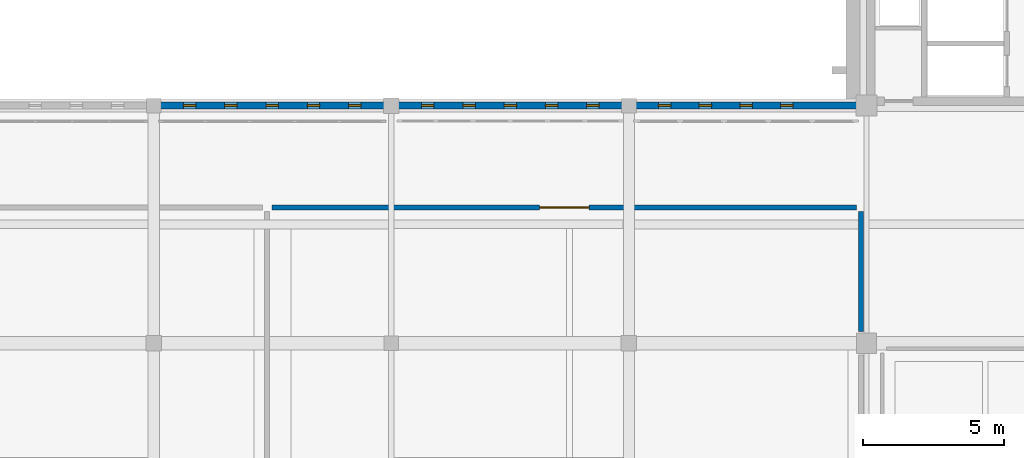
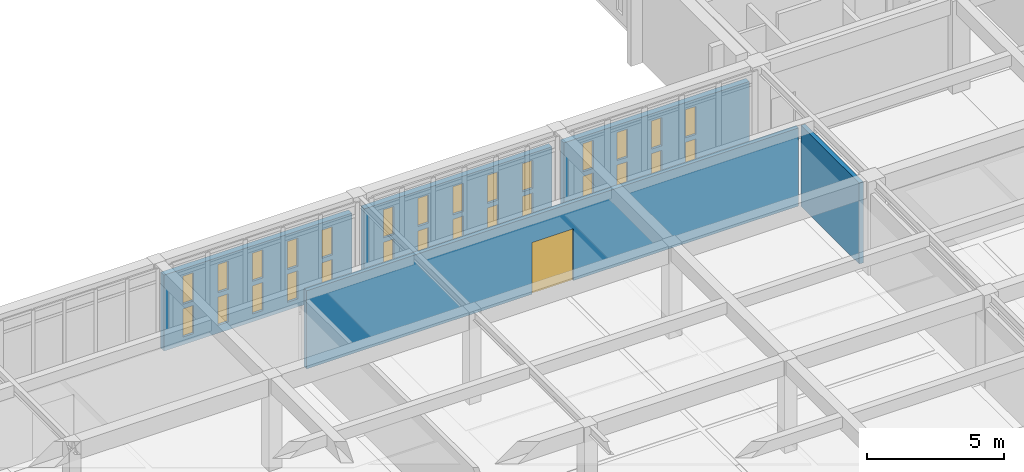
# One storey, part 162 of 192: 28 windows, 5 walls, 1 door, 29 openings.
"""IFC4 building model written with IfcOpenShell, lengths in metres."""

from ifc_helpers import new_model, si_unit, direction, frame, frame_2d, origin, place, context, subcontext, project, spatial, rectangle, extrude, material, layer, layer_set, type_object, element, fill, save


model = new_model("IFC4")

# Units and contexts
model_context = context("Model", 3, precision=1e-05, world=origin(), true_north=direction((0.0, 1.0)))
body_context = subcontext(model_context, "Body", "Model", "MODEL_VIEW")
ifc_project = project(units=[si_unit("LENGTHUNIT", "METRE"), si_unit("AREAUNIT", "SQUARE_METRE"), si_unit("VOLUMEUNIT", "CUBIC_METRE"), si_unit("PLANEANGLEUNIT", "RADIAN"), si_unit("MASSUNIT", "GRAM", prefix="KILO")], contexts=[model_context])

# Site, building, storey
site_placement = place(None, origin())
site = spatial("IfcSite", under=ifc_project, at=site_placement, CompositionType="ELEMENT")
building_placement = place(site_placement, origin())
building = spatial("IfcBuilding", under=site, at=building_placement, Name="Kveldsbrygga Polytechnic", CompositionType="ELEMENT")
storey_placement = place(building_placement, frame((0.0, 0.0, 5.43994140625)))
storey = spatial("IfcBuildingStorey", under=building, at=storey_placement, Name="L01", CompositionType="ELEMENT", Elevation=5.43994140625)

# Wall, openings, windows
ifc_material_1 = material(Name="Fired clay brick masonry M10", Category="masonry")
ifc_layer_1 = layer(ifc_material_1, 0.239990234375)
ifc_layer_set_1 = layer_set([ifc_layer_1], Name="Fired clay brick masonry M10")
wall_type_1 = type_object("IfcWallType", Name="EW-SCRN-240", PredefinedType="SOLIDWALL", material=ifc_layer_set_1)
wall_1_placement = place(storey_placement, frame((101.044921875, 25.199951171875, 0.0), z_axis=(0.0, 0.0, 1.0), x_axis=(1.0, 0.0, 0.0)))
wall_1 = element("IfcWall", 1, at=wall_1_placement, inside=storey, type_object=wall_type_1, Name="Perforated Brick Corridor Screen Wall SCRW-L01-X-12-03", PredefinedType="SOLIDWALL", context=body_context, shape_type="SweptSolid", body=[
    extrude(rectangle(XDim=7.89501953125, YDim=0.239990234375, at=frame_2d((3.947509765625, 0.0))), origin(), (0.0, 0.0, 1.0), 3.3701171875),
])
opening_1_placement = place(wall_1_placement, frame((0.8095703125, 0.0, 0.35009765625)))
opening_1 = element("IfcOpeningElement", 2, at=opening_1_placement, cuts=wall_1, Name="Opening W-48", PredefinedType="OPENING", context=body_context, shape_type="SweptSolid", body=[
    extrude(rectangle(XDim=0.43994140625, YDim=1.25, at=frame_2d((0.219970703125, 0.625))), frame((0.0, 0.1298828125, 0.0), z_axis=(0.0, -1.0, 0.0), x_axis=(1.0, 0.0, 0.0)), (0.0, 0.0, 1.0), 0.260009765625),
])
opening_2_placement = place(wall_1_placement, frame((2.2685546875, 0.0, 0.35009765625)))
opening_2 = element("IfcOpeningElement", 3, at=opening_2_placement, cuts=wall_1, Name="Opening W-48", PredefinedType="OPENING", context=body_context, shape_type="SweptSolid", body=[
    extrude(rectangle(XDim=0.43994140625, YDim=1.25, at=frame_2d((0.219970703125, 0.625))), frame((0.0, 0.1298828125, 0.0), z_axis=(0.0, -1.0, 0.0), x_axis=(1.0, 0.0, 0.0)), (0.0, 0.0, 1.0), 0.260009765625),
])
opening_3_placement = place(wall_1_placement, frame((3.7275390625, 0.0, 0.35009765625)))
opening_3 = element("IfcOpeningElement", 4, at=opening_3_placement, cuts=wall_1, Name="Opening W-48", PredefinedType="OPENING", context=body_context, shape_type="SweptSolid", body=[
    extrude(rectangle(XDim=0.43994140625, YDim=1.25, at=frame_2d((0.219970703125, 0.625))), frame((0.0, 0.1298828125, 0.0), z_axis=(0.0, -1.0, 0.0), x_axis=(1.0, 0.0, 0.0)), (0.0, 0.0, 1.0), 0.260009765625),
])
opening_4_placement = place(wall_1_placement, frame((5.1865234375, 0.0, 0.35009765625)))
opening_4 = element("IfcOpeningElement", 5, at=opening_4_placement, cuts=wall_1, Name="Opening W-48", PredefinedType="OPENING", context=body_context, shape_type="SweptSolid", body=[
    extrude(rectangle(XDim=0.43994140625, YDim=1.25, at=frame_2d((0.219970703125, 0.625))), frame((0.0, 0.1298828125, 0.0), z_axis=(0.0, -1.0, 0.0), x_axis=(1.0, 0.0, 0.0)), (0.0, 0.0, 1.0), 0.260009765625),
])
opening_5_placement = place(wall_1_placement, frame((6.6455078125, 0.0, 0.35009765625)))
opening_5 = element("IfcOpeningElement", 6, at=opening_5_placement, cuts=wall_1, Name="Opening W-48", PredefinedType="OPENING", context=body_context, shape_type="SweptSolid", body=[
    extrude(rectangle(XDim=0.43994140625, YDim=1.25, at=frame_2d((0.219970703125, 0.625))), frame((0.0, 0.1298828125, 0.0), z_axis=(0.0, -1.0, 0.0), x_axis=(1.0, 0.0, 0.0)), (0.0, 0.0, 1.0), 0.260009765625),
])
opening_6_placement = place(wall_1_placement, frame((0.8095703125, 0.0, 1.800048828125)))
opening_6 = element("IfcOpeningElement", 7, at=opening_6_placement, cuts=wall_1, Name="Opening W-48", PredefinedType="OPENING", context=body_context, shape_type="SweptSolid", body=[
    extrude(rectangle(XDim=0.43994140625, YDim=1.25, at=frame_2d((0.219970703125, 0.625))), frame((0.0, 0.1298828125, 0.0), z_axis=(0.0, -1.0, 0.0), x_axis=(1.0, 0.0, 0.0)), (0.0, 0.0, 1.0), 0.260009765625),
])
opening_7_placement = place(wall_1_placement, frame((2.2685546875, 0.0, 1.800048828125)))
opening_7 = element("IfcOpeningElement", 8, at=opening_7_placement, cuts=wall_1, Name="Opening W-48", PredefinedType="OPENING", context=body_context, shape_type="SweptSolid", body=[
    extrude(rectangle(XDim=0.43994140625, YDim=1.25, at=frame_2d((0.219970703125, 0.625))), frame((0.0, 0.1298828125, 0.0), z_axis=(0.0, -1.0, 0.0), x_axis=(1.0, 0.0, 0.0)), (0.0, 0.0, 1.0), 0.260009765625),
])
opening_8_placement = place(wall_1_placement, frame((3.7275390625, 0.0, 1.800048828125)))
opening_8 = element("IfcOpeningElement", 9, at=opening_8_placement, cuts=wall_1, Name="Opening W-48", PredefinedType="OPENING", context=body_context, shape_type="SweptSolid", body=[
    extrude(rectangle(XDim=0.43994140625, YDim=1.25, at=frame_2d((0.219970703125, 0.625))), frame((0.0, 0.1298828125, 0.0), z_axis=(0.0, -1.0, 0.0), x_axis=(1.0, 0.0, 0.0)), (0.0, 0.0, 1.0), 0.260009765625),
])
opening_9_placement = place(wall_1_placement, frame((5.1865234375, 0.0, 1.800048828125)))
opening_9 = element("IfcOpeningElement", 10, at=opening_9_placement, cuts=wall_1, Name="Opening W-48", PredefinedType="OPENING", context=body_context, shape_type="SweptSolid", body=[
    extrude(rectangle(XDim=0.43994140625, YDim=1.25, at=frame_2d((0.219970703125, 0.625))), frame((0.0, 0.1298828125, 0.0), z_axis=(0.0, -1.0, 0.0), x_axis=(1.0, 0.0, 0.0)), (0.0, 0.0, 1.0), 0.260009765625),
])
opening_10_placement = place(wall_1_placement, frame((6.6455078125, 0.0, 1.800048828125)))
opening_10 = element("IfcOpeningElement", 11, at=opening_10_placement, cuts=wall_1, Name="Opening W-48", PredefinedType="OPENING", context=body_context, shape_type="SweptSolid", body=[
    extrude(rectangle(XDim=0.43994140625, YDim=1.25, at=frame_2d((0.219970703125, 0.625))), frame((0.0, 0.1298828125, 0.0), z_axis=(0.0, -1.0, 0.0), x_axis=(1.0, 0.0, 0.0)), (0.0, 0.0, 1.0), 0.260009765625),
])
ifc_material_2 = material(Name="Insulated triple low-E glass", Category="glass")
window_type = type_object("IfcWindowType", Name="WN-SCRN-044x125", PartitioningType="SINGLE_PANEL", PredefinedType="WINDOW", material=ifc_material_2)
window_1_placement = place(opening_1_placement, origin())
window_1 = element("IfcWindow", 12, at=window_1_placement, inside=storey, type_object=window_type, Name="Perforated Screen Aperture L01-X-12-03-1", OverallHeight=1.25, OverallWidth=0.43994140625, PartitioningType="SINGLE_PANEL", PredefinedType="WINDOW", context=body_context, shape_type="SweptSolid", body=[
    extrude(rectangle(XDim=0.43994140625, YDim=1.25, at=frame_2d((0.219970703125, 0.625))), frame((0.0, 0.030029296875, 0.0), z_axis=(0.0, -1.0, 0.0), x_axis=(1.0, 0.0, 0.0)), (0.0, 0.0, 1.0), 0.06005859375),
])
fill(opening_1, window_1)
window_2_placement = place(opening_2_placement, origin())
window_2 = element("IfcWindow", 13, at=window_2_placement, inside=storey, type_object=window_type, Name="Perforated Screen Aperture L01-X-12-03-2", OverallHeight=1.25, OverallWidth=0.43994140625, PartitioningType="SINGLE_PANEL", PredefinedType="WINDOW", context=body_context, shape_type="SweptSolid", body=[
    extrude(rectangle(XDim=0.43994140625, YDim=1.25, at=frame_2d((0.219970703125, 0.625))), frame((0.0, 0.030029296875, 0.0), z_axis=(0.0, -1.0, 0.0), x_axis=(1.0, 0.0, 0.0)), (0.0, 0.0, 1.0), 0.06005859375),
])
fill(opening_2, window_2)
window_3_placement = place(opening_3_placement, origin())
window_3 = element("IfcWindow", 14, at=window_3_placement, inside=storey, type_object=window_type, Name="Perforated Screen Aperture L01-X-12-03-3", OverallHeight=1.25, OverallWidth=0.43994140625, PartitioningType="SINGLE_PANEL", PredefinedType="WINDOW", context=body_context, shape_type="SweptSolid", body=[
    extrude(rectangle(XDim=0.43994140625, YDim=1.25, at=frame_2d((0.219970703125, 0.625))), frame((0.0, 0.030029296875, 0.0), z_axis=(0.0, -1.0, 0.0), x_axis=(1.0, 0.0, 0.0)), (0.0, 0.0, 1.0), 0.06005859375),
])
fill(opening_3, window_3)
window_4_placement = place(opening_4_placement, origin())
window_4 = element("IfcWindow", 15, at=window_4_placement, inside=storey, type_object=window_type, Name="Perforated Screen Aperture L01-X-12-03-4", OverallHeight=1.25, OverallWidth=0.43994140625, PartitioningType="SINGLE_PANEL", PredefinedType="WINDOW", context=body_context, shape_type="SweptSolid", body=[
    extrude(rectangle(XDim=0.43994140625, YDim=1.25, at=frame_2d((0.219970703125, 0.625))), frame((0.0, 0.030029296875, 0.0), z_axis=(0.0, -1.0, 0.0), x_axis=(1.0, 0.0, 0.0)), (0.0, 0.0, 1.0), 0.06005859375),
])
fill(opening_4, window_4)
window_5_placement = place(opening_5_placement, origin())
window_5 = element("IfcWindow", 16, at=window_5_placement, inside=storey, type_object=window_type, Name="Perforated Screen Aperture L01-X-12-03-5", OverallHeight=1.25, OverallWidth=0.43994140625, PartitioningType="SINGLE_PANEL", PredefinedType="WINDOW", context=body_context, shape_type="SweptSolid", body=[
    extrude(rectangle(XDim=0.43994140625, YDim=1.25, at=frame_2d((0.219970703125, 0.625))), frame((0.0, 0.030029296875, 0.0), z_axis=(0.0, -1.0, 0.0), x_axis=(1.0, 0.0, 0.0)), (0.0, 0.0, 1.0), 0.06005859375),
])
fill(opening_5, window_5)
window_6_placement = place(opening_6_placement, origin())
window_6 = element("IfcWindow", 17, at=window_6_placement, inside=storey, type_object=window_type, Name="Perforated Screen Aperture L01-X-12-03-6", OverallHeight=1.25, OverallWidth=0.43994140625, PartitioningType="SINGLE_PANEL", PredefinedType="WINDOW", context=body_context, shape_type="SweptSolid", body=[
    extrude(rectangle(XDim=0.43994140625, YDim=1.25, at=frame_2d((0.219970703125, 0.625))), frame((0.0, 0.030029296875, 0.0), z_axis=(0.0, -1.0, 0.0), x_axis=(1.0, 0.0, 0.0)), (0.0, 0.0, 1.0), 0.06005859375),
])
fill(opening_6, window_6)
window_7_placement = place(opening_7_placement, origin())
window_7 = element("IfcWindow", 18, at=window_7_placement, inside=storey, type_object=window_type, Name="Perforated Screen Aperture L01-X-12-03-7", OverallHeight=1.25, OverallWidth=0.43994140625, PartitioningType="SINGLE_PANEL", PredefinedType="WINDOW", context=body_context, shape_type="SweptSolid", body=[
    extrude(rectangle(XDim=0.43994140625, YDim=1.25, at=frame_2d((0.219970703125, 0.625))), frame((0.0, 0.030029296875, 0.0), z_axis=(0.0, -1.0, 0.0), x_axis=(1.0, 0.0, 0.0)), (0.0, 0.0, 1.0), 0.06005859375),
])
fill(opening_7, window_7)
window_8_placement = place(opening_8_placement, origin())
window_8 = element("IfcWindow", 19, at=window_8_placement, inside=storey, type_object=window_type, Name="Perforated Screen Aperture L01-X-12-03-8", OverallHeight=1.25, OverallWidth=0.43994140625, PartitioningType="SINGLE_PANEL", PredefinedType="WINDOW", context=body_context, shape_type="SweptSolid", body=[
    extrude(rectangle(XDim=0.43994140625, YDim=1.25, at=frame_2d((0.219970703125, 0.625))), frame((0.0, 0.030029296875, 0.0), z_axis=(0.0, -1.0, 0.0), x_axis=(1.0, 0.0, 0.0)), (0.0, 0.0, 1.0), 0.06005859375),
])
fill(opening_8, window_8)
window_9_placement = place(opening_9_placement, origin())
window_9 = element("IfcWindow", 20, at=window_9_placement, inside=storey, type_object=window_type, Name="Perforated Screen Aperture L01-X-12-03-9", OverallHeight=1.25, OverallWidth=0.43994140625, PartitioningType="SINGLE_PANEL", PredefinedType="WINDOW", context=body_context, shape_type="SweptSolid", body=[
    extrude(rectangle(XDim=0.43994140625, YDim=1.25, at=frame_2d((0.219970703125, 0.625))), frame((0.0, 0.030029296875, 0.0), z_axis=(0.0, -1.0, 0.0), x_axis=(1.0, 0.0, 0.0)), (0.0, 0.0, 1.0), 0.06005859375),
])
fill(opening_9, window_9)
window_10_placement = place(opening_10_placement, origin())
window_10 = element("IfcWindow", 21, at=window_10_placement, inside=storey, type_object=window_type, Name="Perforated Screen Aperture L01-X-12-03-10", OverallHeight=1.25, OverallWidth=0.43994140625, PartitioningType="SINGLE_PANEL", PredefinedType="WINDOW", context=body_context, shape_type="SweptSolid", body=[
    extrude(rectangle(XDim=0.43994140625, YDim=1.25, at=frame_2d((0.219970703125, 0.625))), frame((0.0, 0.030029296875, 0.0), z_axis=(0.0, -1.0, 0.0), x_axis=(1.0, 0.0, 0.0)), (0.0, 0.0, 1.0), 0.06005859375),
])
fill(opening_10, window_10)

wall_2_placement = place(storey_placement, frame((109.4599609375, 25.199951171875, 0.0), z_axis=(0.0, 0.0, 1.0), x_axis=(1.0, 0.0, 0.0)))
wall_2 = element("IfcWall", 22, at=wall_2_placement, inside=storey, type_object=wall_type_1, Name="Perforated Brick Corridor Screen Wall SCRW-L01-X-13-03", PredefinedType="SOLIDWALL", context=body_context, shape_type="SweptSolid", body=[
    extrude(rectangle(XDim=7.89501953125, YDim=0.239990234375, at=frame_2d((3.947509765625, 0.0))), origin(), (0.0, 0.0, 1.0), 3.3701171875),
])
opening_11_placement = place(wall_2_placement, frame((0.8095703125, 0.0, 0.35009765625)))
opening_11 = element("IfcOpeningElement", 23, at=opening_11_placement, cuts=wall_2, Name="Opening W-48", PredefinedType="OPENING", context=body_context, shape_type="SweptSolid", body=[
    extrude(rectangle(XDim=0.43994140625, YDim=1.25, at=frame_2d((0.219970703125, 0.625))), frame((0.0, 0.1298828125, 0.0), z_axis=(0.0, -1.0, 0.0), x_axis=(1.0, 0.0, 0.0)), (0.0, 0.0, 1.0), 0.260009765625),
])
opening_12_placement = place(wall_2_placement, frame((2.2685546875, 0.0, 0.35009765625)))
opening_12 = element("IfcOpeningElement", 24, at=opening_12_placement, cuts=wall_2, Name="Opening W-48", PredefinedType="OPENING", context=body_context, shape_type="SweptSolid", body=[
    extrude(rectangle(XDim=0.43994140625, YDim=1.25, at=frame_2d((0.219970703125, 0.625))), frame((0.0, 0.1298828125, 0.0), z_axis=(0.0, -1.0, 0.0), x_axis=(1.0, 0.0, 0.0)), (0.0, 0.0, 1.0), 0.260009765625),
])
opening_13_placement = place(wall_2_placement, frame((3.7275390625, 0.0, 0.35009765625)))
opening_13 = element("IfcOpeningElement", 25, at=opening_13_placement, cuts=wall_2, Name="Opening W-48", PredefinedType="OPENING", context=body_context, shape_type="SweptSolid", body=[
    extrude(rectangle(XDim=0.43994140625, YDim=1.25, at=frame_2d((0.219970703125, 0.625))), frame((0.0, 0.1298828125, 0.0), z_axis=(0.0, -1.0, 0.0), x_axis=(1.0, 0.0, 0.0)), (0.0, 0.0, 1.0), 0.260009765625),
])
opening_14_placement = place(wall_2_placement, frame((5.1865234375, 0.0, 0.35009765625)))
opening_14 = element("IfcOpeningElement", 26, at=opening_14_placement, cuts=wall_2, Name="Opening W-48", PredefinedType="OPENING", context=body_context, shape_type="SweptSolid", body=[
    extrude(rectangle(XDim=0.43994140625, YDim=1.25, at=frame_2d((0.219970703125, 0.625))), frame((0.0, 0.1298828125, 0.0), z_axis=(0.0, -1.0, 0.0), x_axis=(1.0, 0.0, 0.0)), (0.0, 0.0, 1.0), 0.260009765625),
])
opening_15_placement = place(wall_2_placement, frame((6.6455078125, 0.0, 0.35009765625)))
opening_15 = element("IfcOpeningElement", 27, at=opening_15_placement, cuts=wall_2, Name="Opening W-48", PredefinedType="OPENING", context=body_context, shape_type="SweptSolid", body=[
    extrude(rectangle(XDim=0.43994140625, YDim=1.25, at=frame_2d((0.219970703125, 0.625))), frame((0.0, 0.1298828125, 0.0), z_axis=(0.0, -1.0, 0.0), x_axis=(1.0, 0.0, 0.0)), (0.0, 0.0, 1.0), 0.260009765625),
])
opening_16_placement = place(wall_2_placement, frame((0.8095703125, 0.0, 1.800048828125)))
opening_16 = element("IfcOpeningElement", 28, at=opening_16_placement, cuts=wall_2, Name="Opening W-48", PredefinedType="OPENING", context=body_context, shape_type="SweptSolid", body=[
    extrude(rectangle(XDim=0.43994140625, YDim=1.25, at=frame_2d((0.219970703125, 0.625))), frame((0.0, 0.1298828125, 0.0), z_axis=(0.0, -1.0, 0.0), x_axis=(1.0, 0.0, 0.0)), (0.0, 0.0, 1.0), 0.260009765625),
])
opening_17_placement = place(wall_2_placement, frame((2.2685546875, 0.0, 1.800048828125)))
opening_17 = element("IfcOpeningElement", 29, at=opening_17_placement, cuts=wall_2, Name="Opening W-48", PredefinedType="OPENING", context=body_context, shape_type="SweptSolid", body=[
    extrude(rectangle(XDim=0.43994140625, YDim=1.25, at=frame_2d((0.219970703125, 0.625))), frame((0.0, 0.1298828125, 0.0), z_axis=(0.0, -1.0, 0.0), x_axis=(1.0, 0.0, 0.0)), (0.0, 0.0, 1.0), 0.260009765625),
])
opening_18_placement = place(wall_2_placement, frame((3.7275390625, 0.0, 1.800048828125)))
opening_18 = element("IfcOpeningElement", 30, at=opening_18_placement, cuts=wall_2, Name="Opening W-48", PredefinedType="OPENING", context=body_context, shape_type="SweptSolid", body=[
    extrude(rectangle(XDim=0.43994140625, YDim=1.25, at=frame_2d((0.219970703125, 0.625))), frame((0.0, 0.1298828125, 0.0), z_axis=(0.0, -1.0, 0.0), x_axis=(1.0, 0.0, 0.0)), (0.0, 0.0, 1.0), 0.260009765625),
])
opening_19_placement = place(wall_2_placement, frame((5.1865234375, 0.0, 1.800048828125)))
opening_19 = element("IfcOpeningElement", 31, at=opening_19_placement, cuts=wall_2, Name="Opening W-48", PredefinedType="OPENING", context=body_context, shape_type="SweptSolid", body=[
    extrude(rectangle(XDim=0.43994140625, YDim=1.25, at=frame_2d((0.219970703125, 0.625))), frame((0.0, 0.1298828125, 0.0), z_axis=(0.0, -1.0, 0.0), x_axis=(1.0, 0.0, 0.0)), (0.0, 0.0, 1.0), 0.260009765625),
])
opening_20_placement = place(wall_2_placement, frame((6.6455078125, 0.0, 1.800048828125)))
opening_20 = element("IfcOpeningElement", 32, at=opening_20_placement, cuts=wall_2, Name="Opening W-48", PredefinedType="OPENING", context=body_context, shape_type="SweptSolid", body=[
    extrude(rectangle(XDim=0.43994140625, YDim=1.25, at=frame_2d((0.219970703125, 0.625))), frame((0.0, 0.1298828125, 0.0), z_axis=(0.0, -1.0, 0.0), x_axis=(1.0, 0.0, 0.0)), (0.0, 0.0, 1.0), 0.260009765625),
])
window_11_placement = place(opening_11_placement, origin())
window_11 = element("IfcWindow", 33, at=window_11_placement, inside=storey, type_object=window_type, Name="Perforated Screen Aperture L01-X-13-03-1", OverallHeight=1.25, OverallWidth=0.43994140625, PartitioningType="SINGLE_PANEL", PredefinedType="WINDOW", context=body_context, shape_type="SweptSolid", body=[
    extrude(rectangle(XDim=0.43994140625, YDim=1.25, at=frame_2d((0.219970703125, 0.625))), frame((0.0, 0.030029296875, 0.0), z_axis=(0.0, -1.0, 0.0), x_axis=(1.0, 0.0, 0.0)), (0.0, 0.0, 1.0), 0.06005859375),
])
fill(opening_11, window_11)
window_12_placement = place(opening_12_placement, origin())
window_12 = element("IfcWindow", 34, at=window_12_placement, inside=storey, type_object=window_type, Name="Perforated Screen Aperture L01-X-13-03-2", OverallHeight=1.25, OverallWidth=0.43994140625, PartitioningType="SINGLE_PANEL", PredefinedType="WINDOW", context=body_context, shape_type="SweptSolid", body=[
    extrude(rectangle(XDim=0.43994140625, YDim=1.25, at=frame_2d((0.219970703125, 0.625))), frame((0.0, 0.030029296875, 0.0), z_axis=(0.0, -1.0, 0.0), x_axis=(1.0, 0.0, 0.0)), (0.0, 0.0, 1.0), 0.06005859375),
])
fill(opening_12, window_12)
window_13_placement = place(opening_13_placement, origin())
window_13 = element("IfcWindow", 35, at=window_13_placement, inside=storey, type_object=window_type, Name="Perforated Screen Aperture L01-X-13-03-3", OverallHeight=1.25, OverallWidth=0.43994140625, PartitioningType="SINGLE_PANEL", PredefinedType="WINDOW", context=body_context, shape_type="SweptSolid", body=[
    extrude(rectangle(XDim=0.43994140625, YDim=1.25, at=frame_2d((0.219970703125, 0.625))), frame((0.0, 0.030029296875, 0.0), z_axis=(0.0, -1.0, 0.0), x_axis=(1.0, 0.0, 0.0)), (0.0, 0.0, 1.0), 0.06005859375),
])
fill(opening_13, window_13)
window_14_placement = place(opening_14_placement, origin())
window_14 = element("IfcWindow", 36, at=window_14_placement, inside=storey, type_object=window_type, Name="Perforated Screen Aperture L01-X-13-03-4", OverallHeight=1.25, OverallWidth=0.43994140625, PartitioningType="SINGLE_PANEL", PredefinedType="WINDOW", context=body_context, shape_type="SweptSolid", body=[
    extrude(rectangle(XDim=0.43994140625, YDim=1.25, at=frame_2d((0.219970703125, 0.625))), frame((0.0, 0.030029296875, 0.0), z_axis=(0.0, -1.0, 0.0), x_axis=(1.0, 0.0, 0.0)), (0.0, 0.0, 1.0), 0.06005859375),
])
fill(opening_14, window_14)
window_15_placement = place(opening_15_placement, origin())
window_15 = element("IfcWindow", 37, at=window_15_placement, inside=storey, type_object=window_type, Name="Perforated Screen Aperture L01-X-13-03-5", OverallHeight=1.25, OverallWidth=0.43994140625, PartitioningType="SINGLE_PANEL", PredefinedType="WINDOW", context=body_context, shape_type="SweptSolid", body=[
    extrude(rectangle(XDim=0.43994140625, YDim=1.25, at=frame_2d((0.219970703125, 0.625))), frame((0.0, 0.030029296875, 0.0), z_axis=(0.0, -1.0, 0.0), x_axis=(1.0, 0.0, 0.0)), (0.0, 0.0, 1.0), 0.06005859375),
])
fill(opening_15, window_15)
window_16_placement = place(opening_16_placement, origin())
window_16 = element("IfcWindow", 38, at=window_16_placement, inside=storey, type_object=window_type, Name="Perforated Screen Aperture L01-X-13-03-6", OverallHeight=1.25, OverallWidth=0.43994140625, PartitioningType="SINGLE_PANEL", PredefinedType="WINDOW", context=body_context, shape_type="SweptSolid", body=[
    extrude(rectangle(XDim=0.43994140625, YDim=1.25, at=frame_2d((0.219970703125, 0.625))), frame((0.0, 0.030029296875, 0.0), z_axis=(0.0, -1.0, 0.0), x_axis=(1.0, 0.0, 0.0)), (0.0, 0.0, 1.0), 0.06005859375),
])
fill(opening_16, window_16)
window_17_placement = place(opening_17_placement, origin())
window_17 = element("IfcWindow", 39, at=window_17_placement, inside=storey, type_object=window_type, Name="Perforated Screen Aperture L01-X-13-03-7", OverallHeight=1.25, OverallWidth=0.43994140625, PartitioningType="SINGLE_PANEL", PredefinedType="WINDOW", context=body_context, shape_type="SweptSolid", body=[
    extrude(rectangle(XDim=0.43994140625, YDim=1.25, at=frame_2d((0.219970703125, 0.625))), frame((0.0, 0.030029296875, 0.0), z_axis=(0.0, -1.0, 0.0), x_axis=(1.0, 0.0, 0.0)), (0.0, 0.0, 1.0), 0.06005859375),
])
fill(opening_17, window_17)
window_18_placement = place(opening_18_placement, origin())
window_18 = element("IfcWindow", 40, at=window_18_placement, inside=storey, type_object=window_type, Name="Perforated Screen Aperture L01-X-13-03-8", OverallHeight=1.25, OverallWidth=0.43994140625, PartitioningType="SINGLE_PANEL", PredefinedType="WINDOW", context=body_context, shape_type="SweptSolid", body=[
    extrude(rectangle(XDim=0.43994140625, YDim=1.25, at=frame_2d((0.219970703125, 0.625))), frame((0.0, 0.030029296875, 0.0), z_axis=(0.0, -1.0, 0.0), x_axis=(1.0, 0.0, 0.0)), (0.0, 0.0, 1.0), 0.06005859375),
])
fill(opening_18, window_18)
window_19_placement = place(opening_19_placement, origin())
window_19 = element("IfcWindow", 41, at=window_19_placement, inside=storey, type_object=window_type, Name="Perforated Screen Aperture L01-X-13-03-9", OverallHeight=1.25, OverallWidth=0.43994140625, PartitioningType="SINGLE_PANEL", PredefinedType="WINDOW", context=body_context, shape_type="SweptSolid", body=[
    extrude(rectangle(XDim=0.43994140625, YDim=1.25, at=frame_2d((0.219970703125, 0.625))), frame((0.0, 0.030029296875, 0.0), z_axis=(0.0, -1.0, 0.0), x_axis=(1.0, 0.0, 0.0)), (0.0, 0.0, 1.0), 0.06005859375),
])
fill(opening_19, window_19)
window_20_placement = place(opening_20_placement, origin())
window_20 = element("IfcWindow", 42, at=window_20_placement, inside=storey, type_object=window_type, Name="Perforated Screen Aperture L01-X-13-03-10", OverallHeight=1.25, OverallWidth=0.43994140625, PartitioningType="SINGLE_PANEL", PredefinedType="WINDOW", context=body_context, shape_type="SweptSolid", body=[
    extrude(rectangle(XDim=0.43994140625, YDim=1.25, at=frame_2d((0.219970703125, 0.625))), frame((0.0, 0.030029296875, 0.0), z_axis=(0.0, -1.0, 0.0), x_axis=(1.0, 0.0, 0.0)), (0.0, 0.0, 1.0), 0.06005859375),
])
fill(opening_20, window_20)

wall_3_placement = place(storey_placement, frame((117.844970703125, 25.199951171875, 0.0), z_axis=(0.0, 0.0, 1.0), x_axis=(1.0, 0.0, 0.0)))
wall_3 = element("IfcWall", 43, at=wall_3_placement, inside=storey, type_object=wall_type_1, Name="Perforated Brick Corridor Screen Wall SCRW-L01-X-14-03", PredefinedType="SOLIDWALL", context=body_context, shape_type="SweptSolid", body=[
    extrude(rectangle(XDim=7.794921875, YDim=0.239990234375, at=frame_2d((3.8974609375, 0.0))), origin(), (0.0, 0.0, 1.0), 3.3701171875),
])
opening_21_placement = place(wall_3_placement, frame((0.799560546875, 0.0, 0.35009765625)))
opening_21 = element("IfcOpeningElement", 44, at=opening_21_placement, cuts=wall_3, Name="Opening W-48", PredefinedType="OPENING", context=body_context, shape_type="SweptSolid", body=[
    extrude(rectangle(XDim=0.43994140625, YDim=1.25, at=frame_2d((0.219970703125, 0.625))), frame((0.0, 0.1298828125, 0.0), z_axis=(0.0, -1.0, 0.0), x_axis=(1.0, 0.0, 0.0)), (0.0, 0.0, 1.0), 0.260009765625),
])
opening_22_placement = place(wall_3_placement, frame((2.238525390625, 0.0, 0.35009765625)))
opening_22 = element("IfcOpeningElement", 45, at=opening_22_placement, cuts=wall_3, Name="Opening W-48", PredefinedType="OPENING", context=body_context, shape_type="SweptSolid", body=[
    extrude(rectangle(XDim=0.43994140625, YDim=1.25, at=frame_2d((0.219970703125, 0.625))), frame((0.0, 0.1298828125, 0.0), z_axis=(0.0, -1.0, 0.0), x_axis=(1.0, 0.0, 0.0)), (0.0, 0.0, 1.0), 0.260009765625),
])
opening_23_placement = place(wall_3_placement, frame((3.677490234375, 0.0, 0.35009765625)))
opening_23 = element("IfcOpeningElement", 46, at=opening_23_placement, cuts=wall_3, Name="Opening W-48", PredefinedType="OPENING", context=body_context, shape_type="SweptSolid", body=[
    extrude(rectangle(XDim=0.43994140625, YDim=1.25, at=frame_2d((0.219970703125, 0.625))), frame((0.0, 0.1298828125, 0.0), z_axis=(0.0, -1.0, 0.0), x_axis=(1.0, 0.0, 0.0)), (0.0, 0.0, 1.0), 0.260009765625),
])
opening_24_placement = place(wall_3_placement, frame((5.116455078125, 0.0, 0.35009765625)))
opening_24 = element("IfcOpeningElement", 47, at=opening_24_placement, cuts=wall_3, Name="Opening W-48", PredefinedType="OPENING", context=body_context, shape_type="SweptSolid", body=[
    extrude(rectangle(XDim=0.43994140625, YDim=1.25, at=frame_2d((0.219970703125, 0.625))), frame((0.0, 0.1298828125, 0.0), z_axis=(0.0, -1.0, 0.0), x_axis=(1.0, 0.0, 0.0)), (0.0, 0.0, 1.0), 0.260009765625),
])
opening_25_placement = place(wall_3_placement, frame((0.799560546875, 0.0, 1.800048828125)))
opening_25 = element("IfcOpeningElement", 48, at=opening_25_placement, cuts=wall_3, Name="Opening W-48", PredefinedType="OPENING", context=body_context, shape_type="SweptSolid", body=[
    extrude(rectangle(XDim=0.43994140625, YDim=1.25, at=frame_2d((0.219970703125, 0.625))), frame((0.0, 0.1298828125, 0.0), z_axis=(0.0, -1.0, 0.0), x_axis=(1.0, 0.0, 0.0)), (0.0, 0.0, 1.0), 0.260009765625),
])
opening_26_placement = place(wall_3_placement, frame((2.238525390625, 0.0, 1.800048828125)))
opening_26 = element("IfcOpeningElement", 49, at=opening_26_placement, cuts=wall_3, Name="Opening W-48", PredefinedType="OPENING", context=body_context, shape_type="SweptSolid", body=[
    extrude(rectangle(XDim=0.43994140625, YDim=1.25, at=frame_2d((0.219970703125, 0.625))), frame((0.0, 0.1298828125, 0.0), z_axis=(0.0, -1.0, 0.0), x_axis=(1.0, 0.0, 0.0)), (0.0, 0.0, 1.0), 0.260009765625),
])
opening_27_placement = place(wall_3_placement, frame((3.677490234375, 0.0, 1.800048828125)))
opening_27 = element("IfcOpeningElement", 50, at=opening_27_placement, cuts=wall_3, Name="Opening W-48", PredefinedType="OPENING", context=body_context, shape_type="SweptSolid", body=[
    extrude(rectangle(XDim=0.43994140625, YDim=1.25, at=frame_2d((0.219970703125, 0.625))), frame((0.0, 0.1298828125, 0.0), z_axis=(0.0, -1.0, 0.0), x_axis=(1.0, 0.0, 0.0)), (0.0, 0.0, 1.0), 0.260009765625),
])
opening_28_placement = place(wall_3_placement, frame((5.116455078125, 0.0, 1.800048828125)))
opening_28 = element("IfcOpeningElement", 51, at=opening_28_placement, cuts=wall_3, Name="Opening W-48", PredefinedType="OPENING", context=body_context, shape_type="SweptSolid", body=[
    extrude(rectangle(XDim=0.43994140625, YDim=1.25, at=frame_2d((0.219970703125, 0.625))), frame((0.0, 0.1298828125, 0.0), z_axis=(0.0, -1.0, 0.0), x_axis=(1.0, 0.0, 0.0)), (0.0, 0.0, 1.0), 0.260009765625),
])
window_21_placement = place(opening_21_placement, origin())
window_21 = element("IfcWindow", 52, at=window_21_placement, inside=storey, type_object=window_type, Name="Perforated Screen Aperture L01-X-14-03-1", OverallHeight=1.25, OverallWidth=0.43994140625, PartitioningType="SINGLE_PANEL", PredefinedType="WINDOW", context=body_context, shape_type="SweptSolid", body=[
    extrude(rectangle(XDim=0.43994140625, YDim=1.25, at=frame_2d((0.219970703125, 0.625))), frame((0.0, 0.030029296875, 0.0), z_axis=(0.0, -1.0, 0.0), x_axis=(1.0, 0.0, 0.0)), (0.0, 0.0, 1.0), 0.06005859375),
])
fill(opening_21, window_21)
window_22_placement = place(opening_22_placement, origin())
window_22 = element("IfcWindow", 53, at=window_22_placement, inside=storey, type_object=window_type, Name="Perforated Screen Aperture L01-X-14-03-2", OverallHeight=1.25, OverallWidth=0.43994140625, PartitioningType="SINGLE_PANEL", PredefinedType="WINDOW", context=body_context, shape_type="SweptSolid", body=[
    extrude(rectangle(XDim=0.43994140625, YDim=1.25, at=frame_2d((0.219970703125, 0.625))), frame((0.0, 0.030029296875, 0.0), z_axis=(0.0, -1.0, 0.0), x_axis=(1.0, 0.0, 0.0)), (0.0, 0.0, 1.0), 0.06005859375),
])
fill(opening_22, window_22)
window_23_placement = place(opening_23_placement, origin())
window_23 = element("IfcWindow", 54, at=window_23_placement, inside=storey, type_object=window_type, Name="Perforated Screen Aperture L01-X-14-03-3", OverallHeight=1.25, OverallWidth=0.43994140625, PartitioningType="SINGLE_PANEL", PredefinedType="WINDOW", context=body_context, shape_type="SweptSolid", body=[
    extrude(rectangle(XDim=0.43994140625, YDim=1.25, at=frame_2d((0.219970703125, 0.625))), frame((0.0, 0.030029296875, 0.0), z_axis=(0.0, -1.0, 0.0), x_axis=(1.0, 0.0, 0.0)), (0.0, 0.0, 1.0), 0.06005859375),
])
fill(opening_23, window_23)
window_24_placement = place(opening_24_placement, origin())
window_24 = element("IfcWindow", 55, at=window_24_placement, inside=storey, type_object=window_type, Name="Perforated Screen Aperture L01-X-14-03-4", OverallHeight=1.25, OverallWidth=0.43994140625, PartitioningType="SINGLE_PANEL", PredefinedType="WINDOW", context=body_context, shape_type="SweptSolid", body=[
    extrude(rectangle(XDim=0.43994140625, YDim=1.25, at=frame_2d((0.219970703125, 0.625))), frame((0.0, 0.030029296875, 0.0), z_axis=(0.0, -1.0, 0.0), x_axis=(1.0, 0.0, 0.0)), (0.0, 0.0, 1.0), 0.06005859375),
])
fill(opening_24, window_24)
window_25_placement = place(opening_25_placement, origin())
window_25 = element("IfcWindow", 56, at=window_25_placement, inside=storey, type_object=window_type, Name="Perforated Screen Aperture L01-X-14-03-6", OverallHeight=1.25, OverallWidth=0.43994140625, PartitioningType="SINGLE_PANEL", PredefinedType="WINDOW", context=body_context, shape_type="SweptSolid", body=[
    extrude(rectangle(XDim=0.43994140625, YDim=1.25, at=frame_2d((0.219970703125, 0.625))), frame((0.0, 0.030029296875, 0.0), z_axis=(0.0, -1.0, 0.0), x_axis=(1.0, 0.0, 0.0)), (0.0, 0.0, 1.0), 0.06005859375),
])
fill(opening_25, window_25)
window_26_placement = place(opening_26_placement, origin())
window_26 = element("IfcWindow", 57, at=window_26_placement, inside=storey, type_object=window_type, Name="Perforated Screen Aperture L01-X-14-03-7", OverallHeight=1.25, OverallWidth=0.43994140625, PartitioningType="SINGLE_PANEL", PredefinedType="WINDOW", context=body_context, shape_type="SweptSolid", body=[
    extrude(rectangle(XDim=0.43994140625, YDim=1.25, at=frame_2d((0.219970703125, 0.625))), frame((0.0, 0.030029296875, 0.0), z_axis=(0.0, -1.0, 0.0), x_axis=(1.0, 0.0, 0.0)), (0.0, 0.0, 1.0), 0.06005859375),
])
fill(opening_26, window_26)
window_27_placement = place(opening_27_placement, origin())
window_27 = element("IfcWindow", 58, at=window_27_placement, inside=storey, type_object=window_type, Name="Perforated Screen Aperture L01-X-14-03-8", OverallHeight=1.25, OverallWidth=0.43994140625, PartitioningType="SINGLE_PANEL", PredefinedType="WINDOW", context=body_context, shape_type="SweptSolid", body=[
    extrude(rectangle(XDim=0.43994140625, YDim=1.25, at=frame_2d((0.219970703125, 0.625))), frame((0.0, 0.030029296875, 0.0), z_axis=(0.0, -1.0, 0.0), x_axis=(1.0, 0.0, 0.0)), (0.0, 0.0, 1.0), 0.06005859375),
])
fill(opening_27, window_27)
window_28_placement = place(opening_28_placement, origin())
window_28 = element("IfcWindow", 59, at=window_28_placement, inside=storey, type_object=window_type, Name="Perforated Screen Aperture L01-X-14-03-9", OverallHeight=1.25, OverallWidth=0.43994140625, PartitioningType="SINGLE_PANEL", PredefinedType="WINDOW", context=body_context, shape_type="SweptSolid", body=[
    extrude(rectangle(XDim=0.43994140625, YDim=1.25, at=frame_2d((0.219970703125, 0.625))), frame((0.0, 0.030029296875, 0.0), z_axis=(0.0, -1.0, 0.0), x_axis=(1.0, 0.0, 0.0)), (0.0, 0.0, 1.0), 0.06005859375),
])
fill(opening_28, window_28)

# Wall, opening, door
ifc_material_3 = material(Name="Gypsum acoustic stud partition")
ifc_layer_2 = layer(ifc_material_3, 0.179931640625)
ifc_layer_set_2 = layer_set([ifc_layer_2], Name="Gypsum acoustic stud partition")
wall_type_2 = type_object("IfcWallType", Name="IW-CORR-180", PredefinedType="PARTITIONING", material=ifc_layer_set_2)
wall_4_placement = place(storey_placement, frame((104.97998046875, 21.60009765625, 0.0), z_axis=(0.0, 0.0, 1.0), x_axis=(1.0, 0.0, 0.0)))
wall_4 = element("IfcWall", 60, at=wall_4_placement, inside=storey, type_object=wall_type_2, Name="Partition Wall IW-SP-L01-UNION2-N1", PredefinedType="PARTITIONING", context=body_context, shape_type="SweptSolid", body=[
    extrude(rectangle(XDim=20.669921875, YDim=0.179931640625, at=frame_2d((10.3349609375, 0.0))), origin(), (0.0, 0.0, 1.0), 3.469970703125),
])
opening_29_placement = place(wall_4_placement, frame((9.4599609375, 0.0, 0.0)))
opening_29 = element("IfcOpeningElement", 61, at=opening_29_placement, cuts=wall_4, Name="Opening ID-L01-052", PredefinedType="OPENING", context=body_context, shape_type="SweptSolid", body=[
    extrude(rectangle(XDim=1.75, YDim=2.300048828125, at=frame_2d((0.875, 1.14990234375))), frame((0.0, 0.10009765625, 0.0), z_axis=(0.0, -1.0, 0.0), x_axis=(1.0, 0.0, 0.0)), (0.0, 0.0, 1.0), 0.199951171875),
])
ifc_material_4 = material(Name="Acoustic oak timber", Category="wood")
door_type = type_object("IfcDoorType", Name="ID-REF-175x230", OperationType="DOUBLE_DOOR_SINGLE_SWING", PredefinedType="DOOR", material=ifc_material_4)
door_placement = place(opening_29_placement, origin())
door = element("IfcDoor", 62, at=door_placement, inside=storey, type_object=door_type, Name="Interior Door ID-L01-052", OperationType="DOUBLE_DOOR_SINGLE_SWING", OverallHeight=2.300048828125, OverallWidth=1.75, PredefinedType="DOOR", context=body_context, shape_type="SweptSolid", body=[
    extrude(rectangle(XDim=1.75, YDim=2.300048828125, at=frame_2d((0.875, 1.14990234375))), frame((0.0, 0.02490234375, 0.0), z_axis=(0.0, -1.0, 0.0), x_axis=(1.0, 0.0, 0.0)), (0.0, 0.0, 1.0), 0.050048828125),
])
fill(opening_29, door)

# Wall
wall_5_placement = place(storey_placement, frame((125.800048828125, 17.219970703125, 0.0), z_axis=(0.0, 0.0, 1.0), x_axis=(0.0, 1.0, 0.0)))
element("IfcWall", 63, at=wall_5_placement, inside=storey, type_object=wall_type_2, Name="Partition Wall IW-SP-L01-UNION2-E3", PredefinedType="PARTITIONING", context=body_context, shape_type="SweptSolid", body=[
    extrude(rectangle(XDim=4.22998046875, YDim=0.179931640625, at=frame_2d((2.114990234375, 0.0))), origin(), (0.0, 0.0, 1.0), 3.60009765625),
])

save(model, "model.ifc")
